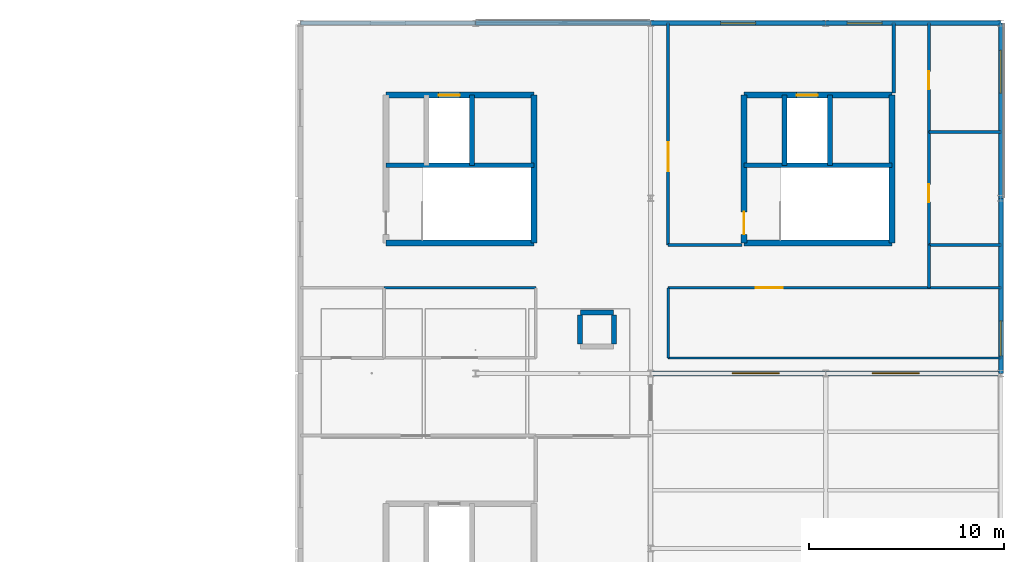
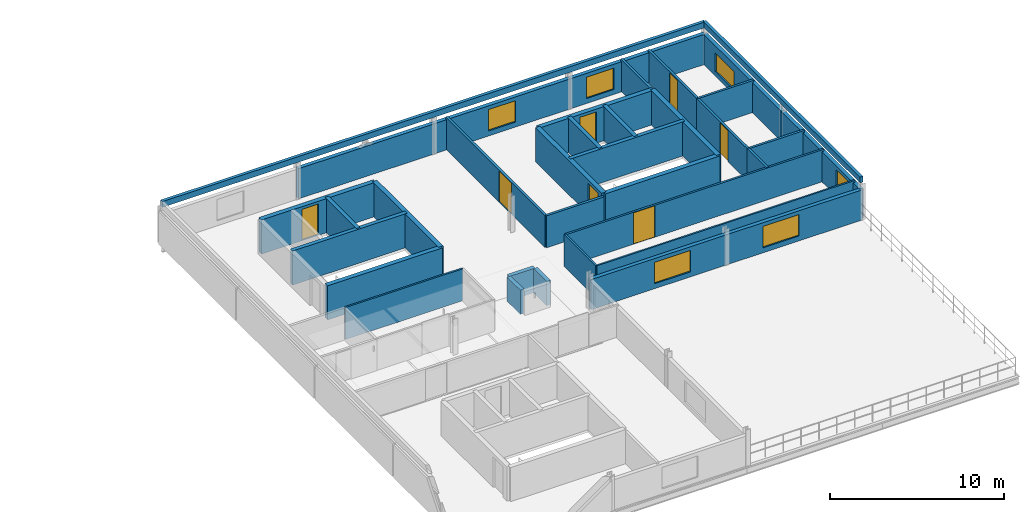
# One storey, part 13 of 16: 35 walls, 7 doors, 6 windows, 13 openings.
"""IFC4 building model written with IfcOpenShell, lengths in metres."""

from ifc_helpers import new_model, si_unit, direction, frame, frame_2d, origin, place, context, subcontext, project, spatial, rectangle, extrude, material, layer, layer_set, type_object, element, fill, save


model = new_model("IFC4")

# Units and contexts
model_context = context("Model", 3, precision=1e-05, world=origin(), true_north=direction((0.0, 1.0)))
body_context = subcontext(model_context, "Body", "Model", "MODEL_VIEW")
ifc_project = project(units=[si_unit("LENGTHUNIT", "METRE"), si_unit("AREAUNIT", "SQUARE_METRE"), si_unit("VOLUMEUNIT", "CUBIC_METRE"), si_unit("PLANEANGLEUNIT", "RADIAN"), si_unit("MASSUNIT", "GRAM", prefix="KILO"), si_unit("THERMODYNAMICTEMPERATUREUNIT", "KELVIN"), si_unit("POWERUNIT", "WATT")], contexts=[model_context])

# Site, building, storey
site_placement = place(None, origin())
site = spatial("IfcSite", under=ifc_project, at=site_placement, CompositionType="ELEMENT")
building_placement = place(site_placement, origin())
building = spatial("IfcBuilding", under=site, at=building_placement, Name="Tallowbark Science Centre", CompositionType="ELEMENT")
storey_placement = place(building_placement, frame((0.0, 0.0, 23.39990234375)))
storey = spatial("IfcBuildingStorey", under=building, at=storey_placement, Name="L05", CompositionType="ELEMENT", Elevation=23.39990234375)

# Walls
ifc_material_1 = material(Name="Precast Concrete Acoustic Parapet Grade N40 (40 MPa)", Category="concrete")
ifc_layer_1 = layer(ifc_material_1, 0.205078125)
ifc_layer_set_1 = layer_set([ifc_layer_1], Name="Precast Concrete Acoustic Parapet Grade N40 (40 MPa)")
wall_type_1 = type_object("IfcWallType", Name="EWL-PAR-205", PredefinedType="PARAPET", material=ifc_layer_set_1)
wall_1_placement = place(storey_placement, frame((112.5, 108.0, 2.550048828125), z_axis=(0.0, 0.0, 1.0), x_axis=(1.0, 0.0, 0.0)))
element("IfcWall", 1, at=wall_1_placement, inside=storey, type_object=wall_type_1, Name="Roof Parapet PAR-OBS-N", PredefinedType="PARAPET", context=body_context, shape_type="SweptSolid", body=[
    extrude(rectangle(XDim=36.0, YDim=0.205078125, at=frame_2d((18.0, 0.0))), origin(), (0.0, 0.0, 1.0), 0.400146484375),
])
wall_2_placement = place(storey_placement, frame((148.5, 90.0, 2.550048828125), z_axis=(0.0, 0.0, 1.0), x_axis=(0.0, 1.0, 0.0)))
element("IfcWall", 2, at=wall_2_placement, inside=storey, type_object=wall_type_1, Name="Roof Parapet PAR-OBS-E", PredefinedType="PARAPET", context=body_context, shape_type="SweptSolid", body=[
    extrude(rectangle(XDim=18.0, YDim=0.205078125, at=frame_2d((9.0, 0.0))), origin(), (0.0, 0.0, 1.0), 0.400146484375),
])

# Wall, openings, windows
ifc_material_2 = material(Name="Insulated Precast Concrete Panel Grade N40 (40 MPa)", Category="concrete")
ifc_layer_2 = layer(ifc_material_2, 0.25)
ifc_layer_set_2 = layer_set([ifc_layer_2], Name="Insulated Precast Concrete Panel Grade N40 (40 MPa)")
wall_type_2 = type_object("IfcWallType", Name="EWL-PRC-250", PredefinedType="STANDARD", material=ifc_layer_set_2)
wall_3_placement = place(storey_placement, frame((130.5, 90.0, 0.0), z_axis=(0.0, 0.0, 1.0), x_axis=(1.0, 0.0, 0.0)))
wall_3 = element("IfcWall", 3, at=wall_3_placement, inside=storey, type_object=wall_type_2, Name="Exterior Wall OBS5-TER-N", PredefinedType="STANDARD", context=body_context, shape_type="SweptSolid", body=[
    extrude(rectangle(XDim=18.0, YDim=0.25, at=frame_2d((9.0, 0.0))), origin(), (0.0, 0.0, 1.0), 2.114013671875),
])
opening_1_placement = place(wall_3_placement, frame((4.199951171875, 0.0, 0.35009765625)))
opening_1 = element("IfcOpeningElement", 4, at=opening_1_placement, cuts=wall_3, Name="Opening W-10", PredefinedType="OPENING", context=body_context, shape_type="SweptSolid", body=[
    extrude(rectangle(XDim=2.39990234375, YDim=1.5, at=frame_2d((1.199951171875, 0.75))), frame((0.0, 0.135009765625, 0.0), z_axis=(0.0, -1.0, 0.0), x_axis=(1.0, 0.0, 0.0)), (0.0, 0.0, 1.0), 0.27001953125),
])
opening_2_placement = place(wall_3_placement, frame((11.39990234375, 0.0, 0.35009765625)))
opening_2 = element("IfcOpeningElement", 5, at=opening_2_placement, cuts=wall_3, Name="Opening W-10", PredefinedType="OPENING", context=body_context, shape_type="SweptSolid", body=[
    extrude(rectangle(XDim=2.39990234375, YDim=1.5, at=frame_2d((1.199951171875, 0.75))), frame((0.0, 0.135009765625, 0.0), z_axis=(0.0, -1.0, 0.0), x_axis=(1.0, 0.0, 0.0)), (0.0, 0.0, 1.0), 0.27001953125),
])
ifc_material_3 = material(Name="Thermally Broken Aluminium and Low-E Double Glazing", Category="aluminium")
window_type_1 = type_object("IfcWindowType", Name="WIN-F240x150", PartitioningType="SINGLE_PANEL", PredefinedType="WINDOW", material=ifc_material_3)
window_1_placement = place(opening_1_placement, origin())
window_1 = element("IfcWindow", 6, at=window_1_placement, inside=storey, type_object=window_type_1, Name="Window WIN-L05-0052", OverallHeight=1.5, OverallWidth=2.39990234375, PartitioningType="SINGLE_PANEL", PredefinedType="WINDOW", context=body_context, shape_type="SweptSolid", body=[
    extrude(rectangle(XDim=2.39990234375, YDim=1.5, at=frame_2d((1.199951171875, 0.75))), frame((0.0, 0.030029296875, 0.0), z_axis=(0.0, -1.0, 0.0), x_axis=(1.0, 0.0, 0.0)), (0.0, 0.0, 1.0), 0.06005859375),
])
fill(opening_1, window_1)
window_2_placement = place(opening_2_placement, origin())
window_2 = element("IfcWindow", 7, at=window_2_placement, inside=storey, type_object=window_type_1, Name="Window WIN-L05-0053", OverallHeight=1.5, OverallWidth=2.39990234375, PartitioningType="SINGLE_PANEL", PredefinedType="WINDOW", context=body_context, shape_type="SweptSolid", body=[
    extrude(rectangle(XDim=2.39990234375, YDim=1.5, at=frame_2d((1.199951171875, 0.75))), frame((0.0, 0.030029296875, 0.0), z_axis=(0.0, -1.0, 0.0), x_axis=(1.0, 0.0, 0.0)), (0.0, 0.0, 1.0), 0.06005859375),
])
fill(opening_2, window_2)

# Wall, opening, window
wall_4_placement = place(storey_placement, frame((148.5, 90.0, 0.0), z_axis=(0.0, 0.0, 1.0), x_axis=(0.0, 1.0, 0.0)))
wall_4 = element("IfcWall", 8, at=wall_4_placement, inside=storey, type_object=wall_type_2, Name="Exterior Wall OBS5-E-N1", PredefinedType="STANDARD", context=body_context, shape_type="SweptSolid", body=[
    extrude(rectangle(XDim=9.0, YDim=0.25, at=frame_2d((4.5, 0.0))), origin(), (0.0, 0.0, 1.0), 2.114013671875),
])
opening_3_placement = place(wall_4_placement, frame((0.89990234375, 0.0, 0.35009765625)))
opening_3 = element("IfcOpeningElement", 9, at=opening_3_placement, cuts=wall_4, Name="Opening W-09", PredefinedType="OPENING", context=body_context, shape_type="SweptSolid", body=[
    extrude(rectangle(XDim=1.800048828125, YDim=1.5, at=frame_2d((0.89990234375, 0.75))), frame((0.0, 0.135009765625, 0.0), z_axis=(0.0, -1.0, 0.0), x_axis=(1.0, 0.0, 0.0)), (0.0, 0.0, 1.0), 0.27001953125),
])
window_type_2 = type_object("IfcWindowType", Name="WIN-F180x150", PartitioningType="SINGLE_PANEL", PredefinedType="WINDOW", material=ifc_material_3)
window_3_placement = place(opening_3_placement, origin())
window_3 = element("IfcWindow", 10, at=window_3_placement, inside=storey, type_object=window_type_2, Name="Window WIN-L05-0054", OverallHeight=1.5, OverallWidth=1.800048828125, PartitioningType="SINGLE_PANEL", PredefinedType="WINDOW", context=body_context, shape_type="SweptSolid", body=[
    extrude(rectangle(XDim=1.800048828125, YDim=1.5, at=frame_2d((0.89990234375, 0.75))), frame((0.0, 0.030029296875, 0.0), z_axis=(0.0, -1.0, 0.0), x_axis=(1.0, 0.0, 0.0)), (0.0, 0.0, 1.0), 0.06005859375),
])
fill(opening_3, window_3)

wall_5_placement = place(storey_placement, frame((148.5, 99.0, 0.0), z_axis=(0.0, 0.0, 1.0), x_axis=(0.0, 1.0, 0.0)))
wall_5 = element("IfcWall", 11, at=wall_5_placement, inside=storey, type_object=wall_type_2, Name="Exterior Wall OBS5-E-N2", PredefinedType="STANDARD", context=body_context, shape_type="SweptSolid", body=[
    extrude(rectangle(XDim=9.0, YDim=0.25, at=frame_2d((4.5, 0.0))), origin(), (0.0, 0.0, 1.0), 2.114013671875),
])
opening_4_placement = place(wall_5_placement, frame((5.39990234375, 0.0, 0.300048828125)))
opening_4 = element("IfcOpeningElement", 12, at=opening_4_placement, cuts=wall_5, Name="Opening WS-19", PredefinedType="OPENING", context=body_context, shape_type="SweptSolid", body=[
    extrude(rectangle(XDim=2.199951171875, YDim=1.300048828125, at=frame_2d((1.10009765625, 0.64990234375))), frame((0.0, 0.135009765625, 0.0), z_axis=(0.0, -1.0, 0.0), x_axis=(1.0, 0.0, 0.0)), (0.0, 0.0, 1.0), 0.27001953125),
])
window_type_3 = type_object("IfcWindowType", Name="WIN-SP-220x130", PartitioningType="SINGLE_PANEL", PredefinedType="WINDOW", material=ifc_material_3)
window_4_placement = place(opening_4_placement, origin())
window_4 = element("IfcWindow", 13, at=window_4_placement, inside=storey, type_object=window_type_3, Name="Acoustic Window WSP-19", OverallHeight=1.300048828125, OverallWidth=2.199951171875, PartitioningType="SINGLE_PANEL", PredefinedType="WINDOW", context=body_context, shape_type="SweptSolid", body=[
    extrude(rectangle(XDim=2.199951171875, YDim=1.300048828125, at=frame_2d((1.10009765625, 0.64990234375))), frame((0.0, 0.030029296875, 0.0), z_axis=(0.0, -1.0, 0.0), x_axis=(1.0, 0.0, 0.0)), (0.0, 0.0, 1.0), 0.06005859375),
])
fill(opening_4, window_4)

# Wall
wall_6_placement = place(storey_placement, frame((130.5, 108.0, 0.0), z_axis=(0.0, 0.0, 1.0), x_axis=(-1.0, 0.0, 0.0)))
element("IfcWall", 14, at=wall_6_placement, inside=storey, type_object=wall_type_2, Name="Exterior Wall OBS5-N-121", PredefinedType="STANDARD", context=body_context, shape_type="SweptSolid", body=[
    extrude(rectangle(XDim=9.0, YDim=0.25, at=frame_2d((4.5, 0.0))), origin(), (0.0, 0.0, 1.0), 2.114013671875),
])

# Wall, opening, window
wall_7_placement = place(storey_placement, frame((139.5, 108.0, 0.0), z_axis=(0.0, 0.0, 1.0), x_axis=(-1.0, 0.0, 0.0)))
wall_7 = element("IfcWall", 15, at=wall_7_placement, inside=storey, type_object=wall_type_2, Name="Exterior Wall OBS5-N-130", PredefinedType="STANDARD", context=body_context, shape_type="SweptSolid", body=[
    extrude(rectangle(XDim=9.0, YDim=0.25, at=frame_2d((4.5, 0.0))), origin(), (0.0, 0.0, 1.0), 2.114013671875),
])
opening_5_placement = place(wall_7_placement, frame((3.60009765625, 0.0, 0.35009765625)))
opening_5 = element("IfcOpeningElement", 16, at=opening_5_placement, cuts=wall_7, Name="Opening W-09", PredefinedType="OPENING", context=body_context, shape_type="SweptSolid", body=[
    extrude(rectangle(XDim=1.800048828125, YDim=1.5, at=frame_2d((0.89990234375, 0.75))), frame((0.0, 0.135009765625, 0.0), z_axis=(0.0, -1.0, 0.0), x_axis=(1.0, 0.0, 0.0)), (0.0, 0.0, 1.0), 0.27001953125),
])
window_5_placement = place(opening_5_placement, origin())
window_5 = element("IfcWindow", 17, at=window_5_placement, inside=storey, type_object=window_type_2, Name="Window WIN-L05-0056", OverallHeight=1.5, OverallWidth=1.800048828125, PartitioningType="SINGLE_PANEL", PredefinedType="WINDOW", context=body_context, shape_type="SweptSolid", body=[
    extrude(rectangle(XDim=1.800048828125, YDim=1.5, at=frame_2d((0.89990234375, 0.75))), frame((0.0, 0.030029296875, 0.0), z_axis=(0.0, -1.0, 0.0), x_axis=(1.0, 0.0, 0.0)), (0.0, 0.0, 1.0), 0.06005859375),
])
fill(opening_5, window_5)

wall_8_placement = place(storey_placement, frame((148.5, 108.0, 0.0), z_axis=(0.0, 0.0, 1.0), x_axis=(-1.0, 0.0, 0.0)))
wall_8 = element("IfcWall", 18, at=wall_8_placement, inside=storey, type_object=wall_type_2, Name="Exterior Wall OBS5-N-139", PredefinedType="STANDARD", context=body_context, shape_type="SweptSolid", body=[
    extrude(rectangle(XDim=9.0, YDim=0.25, at=frame_2d((4.5, 0.0))), origin(), (0.0, 0.0, 1.0), 2.114013671875),
])
opening_6_placement = place(wall_8_placement, frame((6.10009765625, 0.0, 0.35009765625)))
opening_6 = element("IfcOpeningElement", 19, at=opening_6_placement, cuts=wall_8, Name="Opening W-09", PredefinedType="OPENING", context=body_context, shape_type="SweptSolid", body=[
    extrude(rectangle(XDim=1.800048828125, YDim=1.5, at=frame_2d((0.89990234375, 0.75))), frame((0.0, 0.135009765625, 0.0), z_axis=(0.0, -1.0, 0.0), x_axis=(1.0, 0.0, 0.0)), (0.0, 0.0, 1.0), 0.27001953125),
])
window_6_placement = place(opening_6_placement, origin())
window_6 = element("IfcWindow", 20, at=window_6_placement, inside=storey, type_object=window_type_2, Name="Window WIN-L05-0057", OverallHeight=1.5, OverallWidth=1.800048828125, PartitioningType="SINGLE_PANEL", PredefinedType="WINDOW", context=body_context, shape_type="SweptSolid", body=[
    extrude(rectangle(XDim=1.800048828125, YDim=1.5, at=frame_2d((0.89990234375, 0.75))), frame((0.0, 0.030029296875, 0.0), z_axis=(0.0, -1.0, 0.0), x_axis=(1.0, 0.0, 0.0)), (0.0, 0.0, 1.0), 0.06005859375),
])
fill(opening_6, window_6)

# Walls
ifc_material_4 = material(Name="116 mm Acoustic Steel Stud and 16 mm Fire-Rated Plasterboard", Category="steel")
ifc_layer_3 = layer(ifc_material_4, 0.115966796875)
ifc_layer_set_3 = layer_set([ifc_layer_3], Name="116 mm Acoustic Steel Stud and 16 mm Fire-Rated Plasterboard")
wall_type_3 = type_object("IfcWallType", Name="PTW-116", PredefinedType="PARTITIONING", material=ifc_layer_set_3)
wall_9_placement = place(storey_placement, frame((116.800048828125, 94.39990234375, 0.0), z_axis=(0.0, 0.0, 1.0), x_axis=(1.0, 0.0, 0.0)))
element("IfcWall", 21, at=wall_9_placement, inside=storey, type_object=wall_type_3, Name="Interior Partition PTW-L05-0323", PredefinedType="PARTITIONING", context=body_context, shape_type="SweptSolid", body=[
    extrude(rectangle(XDim=7.800048828125, YDim=0.115966796875, at=frame_2d((3.89990234375, 0.0))), origin(), (0.0, 0.0, 1.0), 2.239990234375),
])
ifc_material_5 = material(Name="132 mm Acoustic Laboratory Steel Stud Partition", Category="steel")
ifc_layer_4 = layer(ifc_material_5, 0.132080078125)
ifc_layer_set_4 = layer_set([ifc_layer_4], Name="132 mm Acoustic Laboratory Steel Stud Partition")
wall_type_4 = type_object("IfcWallType", Name="PTW-132", PredefinedType="PARTITIONING", material=ifc_layer_set_4)
wall_10_placement = place(storey_placement, frame((131.39990234375, 90.800048828125, 0.0), z_axis=(0.0, 0.0, 1.0), x_axis=(0.0, 1.0, 0.0)))
element("IfcWall", 22, at=wall_10_placement, inside=storey, type_object=wall_type_4, Name="Interior Partition PTW-L05-0312", PredefinedType="PARTITIONING", context=body_context, shape_type="SweptSolid", body=[
    extrude(rectangle(XDim=3.599853515625, YDim=0.132080078125, at=frame_2d((1.7998046875, 0.0))), origin(), (0.0, 0.0, 1.0), 2.239990234375),
])

# Wall, opening, door
wall_11_placement = place(storey_placement, frame((131.39990234375, 94.39990234375, 0.0), z_axis=(0.0, 0.0, 1.0), x_axis=(1.0, 0.0, 0.0)))
wall_11 = element("IfcWall", 23, at=wall_11_placement, inside=storey, type_object=wall_type_4, Name="Interior Partition PTW-L05-0313", PredefinedType="PARTITIONING", context=body_context, shape_type="SweptSolid", body=[
    extrude(rectangle(XDim=17.10009765625, YDim=0.132080078125, at=frame_2d((8.550048828125, 0.0))), origin(), (0.0, 0.0, 1.0), 2.239990234375),
])
opening_7_placement = place(wall_11_placement, frame((4.5, 0.0, 0.0)))
opening_7 = element("IfcOpeningElement", 24, at=opening_7_placement, cuts=wall_11, Name="Opening ID-01", PredefinedType="OPENING", context=body_context, shape_type="SweptSolid", body=[
    extrude(rectangle(XDim=1.39990234375, YDim=2.199951171875, at=frame_2d((0.699951171875, 1.10009765625))), frame((0.0, 0.076171875, 0.0), z_axis=(0.0, -1.0, 0.0), x_axis=(1.0, 0.0, 0.0)), (0.0, 0.0, 1.0), 0.152099609375),
])
ifc_material_6 = material(Name="Vision-Panel Leaf and Unequal Side Leaf")
door_type_1 = type_object("IfcDoorType", Name="IDR-LAB-140", OperationType="DOUBLE_DOOR_SINGLE_SWING", PredefinedType="DOOR", material=ifc_material_6)
door_1_placement = place(opening_7_placement, origin())
door_1 = element("IfcDoor", 25, at=door_1_placement, inside=storey, type_object=door_type_1, Name="Interior Door IDR-L05-0140", OperationType="DOUBLE_DOOR_SINGLE_SWING", OverallHeight=2.199951171875, OverallWidth=1.39990234375, PredefinedType="DOOR", context=body_context, shape_type="SweptSolid", body=[
    extrude(rectangle(XDim=1.39990234375, YDim=2.199951171875, at=frame_2d((0.699951171875, 1.10009765625))), frame((0.0, 0.02490234375, 0.0), z_axis=(0.0, -1.0, 0.0), x_axis=(1.0, 0.0, 0.0)), (0.0, 0.0, 1.0), 0.050048828125),
])
fill(opening_7, door_1)

# Wall
ifc_material_7 = material(Name="150 mm Wet-Area Moisture-Resistant Partition")
ifc_layer_5 = layer(ifc_material_7, 0.14990234375)
ifc_layer_set_5 = layer_set([ifc_layer_5], Name="150 mm Wet-Area Moisture-Resistant Partition")
wall_type_5 = type_object("IfcWallType", Name="PTW-150", PredefinedType="PARTITIONING", material=ifc_layer_set_5)
wall_12_placement = place(storey_placement, frame((144.800048828125, 94.39990234375, 0.0), z_axis=(0.0, 0.0, 1.0), x_axis=(0.0, 1.0, 0.0)))
element("IfcWall", 26, at=wall_12_placement, inside=storey, type_object=wall_type_5, Name="Interior Partition PTW-L05-0314", PredefinedType="PARTITIONING", context=body_context, shape_type="SweptSolid", body=[
    extrude(rectangle(XDim=2.2001953125, YDim=0.14990234375, at=frame_2d((1.10009765625, 0.0))), origin(), (0.0, 0.0, 1.0), 2.239990234375),
])

# Wall, opening, door
wall_13_placement = place(storey_placement, frame((144.800048828125, 96.60009765625, 0.0), z_axis=(0.0, 0.0, 1.0), x_axis=(0.0, 1.0, 0.0)))
wall_13 = element("IfcWall", 27, at=wall_13_placement, inside=storey, type_object=wall_type_5, Name="Interior Partition PTW-L05-0315", PredefinedType="PARTITIONING", context=body_context, shape_type="SweptSolid", body=[
    extrude(rectangle(XDim=5.7998046875, YDim=0.14990234375, at=frame_2d((2.89990234375, 0.0))), origin(), (0.0, 0.0, 1.0), 2.239990234375),
])
opening_8_placement = place(wall_13_placement, frame((2.199951171875, 0.0, 0.0)))
opening_8 = element("IfcOpeningElement", 28, at=opening_8_placement, cuts=wall_13, Name="Opening ID-05", PredefinedType="OPENING", context=body_context, shape_type="SweptSolid", body=[
    extrude(rectangle(XDim=0.919921875, YDim=2.14990234375, at=frame_2d((0.4599609375, 1.074951171875))), frame((0.0, 0.0849609375, 0.0), z_axis=(0.0, -1.0, 0.0), x_axis=(1.0, 0.0, 0.0)), (0.0, 0.0, 1.0), 0.169921875),
])
ifc_material_8 = material(Name="Moisture-Resistant Laminate Leaf")
door_type_2 = type_object("IfcDoorType", Name="IDR-WC-092", OperationType="NOTDEFINED", PredefinedType="DOOR", material=ifc_material_8)
door_2_placement = place(opening_8_placement, origin())
door_2 = element("IfcDoor", 29, at=door_2_placement, inside=storey, type_object=door_type_2, Name="Interior Door IDR-L05-0141", OperationType="SINGLE_SWING_LEFT", OverallHeight=2.14990234375, OverallWidth=0.919921875, PredefinedType="DOOR", context=body_context, shape_type="SweptSolid", body=[
    extrude(rectangle(XDim=0.919921875, YDim=2.14990234375, at=frame_2d((0.4599609375, 1.074951171875))), frame((0.0, 0.02490234375, 0.0), z_axis=(0.0, -1.0, 0.0), x_axis=(1.0, 0.0, 0.0)), (0.0, 0.0, 1.0), 0.050048828125),
])
fill(opening_8, door_2)

wall_14_placement = place(storey_placement, frame((144.800048828125, 102.39990234375, 0.0), z_axis=(0.0, 0.0, 1.0), x_axis=(0.0, 1.0, 0.0)))
wall_14 = element("IfcWall", 30, at=wall_14_placement, inside=storey, type_object=wall_type_5, Name="Interior Partition PTW-L05-0316", PredefinedType="PARTITIONING", context=body_context, shape_type="SweptSolid", body=[
    extrude(rectangle(XDim=5.60009765625, YDim=0.14990234375, at=frame_2d((2.800048828125, 0.0))), origin(), (0.0, 0.0, 1.0), 2.239990234375),
])
opening_9_placement = place(wall_14_placement, frame((2.199951171875, 0.0, 0.0)))
opening_9 = element("IfcOpeningElement", 31, at=opening_9_placement, cuts=wall_14, Name="Opening ID-05", PredefinedType="OPENING", context=body_context, shape_type="SweptSolid", body=[
    extrude(rectangle(XDim=0.919921875, YDim=2.14990234375, at=frame_2d((0.4599609375, 1.074951171875))), frame((0.0, 0.0849609375, 0.0), z_axis=(0.0, -1.0, 0.0), x_axis=(1.0, 0.0, 0.0)), (0.0, 0.0, 1.0), 0.169921875),
])
door_3_placement = place(opening_9_placement, origin())
door_3 = element("IfcDoor", 32, at=door_3_placement, inside=storey, type_object=door_type_2, Name="Interior Door IDR-L05-0142", OperationType="SINGLE_SWING_RIGHT", OverallHeight=2.14990234375, OverallWidth=0.919921875, PredefinedType="DOOR", context=body_context, shape_type="SweptSolid", body=[
    extrude(rectangle(XDim=0.919921875, YDim=2.14990234375, at=frame_2d((0.4599609375, 1.074951171875))), frame((0.0, 0.02490234375, 0.0), z_axis=(0.0, -1.0, 0.0), x_axis=(1.0, 0.0, 0.0)), (0.0, 0.0, 1.0), 0.050048828125),
])
fill(opening_9, door_3)

# Walls
for number, where, z_axis, x_axis, name in (
    (33, (144.800048828125, 96.60009765625, 0.0), (0.0, 0.0, 1.0), (1.0, 0.0, 0.0), "Interior Partition PTW-L05-0317"),
    (34, (144.800048828125, 102.39990234375, 0.0), (0.0, 0.0, 1.0), (1.0, 0.0, 0.0), "Interior Partition PTW-L05-0318"),
):
    element("IfcWall", number, at=place(storey_placement, frame(where, z_axis=z_axis, x_axis=x_axis)), inside=storey, type_object=wall_type_5, Name=name, PredefinedType="PARTITIONING", context=body_context, shape_type="SweptSolid", body=[
        extrude(rectangle(XDim=3.699951171875, YDim=0.14990234375, at=frame_2d((1.85009765625, 0.0))), origin(), (0.0, 0.0, 1.0), 2.239990234375),
    ])

# Wall, opening, door
ifc_material_9 = material(Name="162 mm Double-Stud Fire-Rated Corridor Partition")
ifc_layer_6 = layer(ifc_material_9, 0.162109375)
ifc_layer_set_6 = layer_set([ifc_layer_6], Name="162 mm Double-Stud Fire-Rated Corridor Partition")
wall_type_6 = type_object("IfcWallType", Name="PTW-162", PredefinedType="PARTITIONING", material=ifc_layer_set_6)
wall_15_placement = place(storey_placement, frame((131.39990234375, 96.60009765625, 0.0), z_axis=(0.0, 0.0, 1.0), x_axis=(0.0, 1.0, 0.0)))
wall_15 = element("IfcWall", 35, at=wall_15_placement, inside=storey, type_object=wall_type_6, Name="Interior Partition PTW-L05-0053", PredefinedType="PARTITIONING", context=body_context, shape_type="SweptSolid", body=[
    extrude(rectangle(XDim=11.39990234375, YDim=0.162109375, at=frame_2d((5.699951171875, 0.0))), origin(), (0.0, 0.0, 1.0), 2.239990234375),
])
opening_10_placement = place(wall_15_placement, frame((3.800048828125, 0.0, 0.0)))
opening_10 = element("IfcOpeningElement", 36, at=opening_10_placement, cuts=wall_15, Name="Opening DS-14", PredefinedType="OPENING", context=body_context, shape_type="SweptSolid", body=[
    extrude(rectangle(XDim=1.469970703125, YDim=2.199951171875, at=frame_2d((0.73486328125, 1.10009765625))), frame((0.0, 0.091064453125, 0.0), z_axis=(0.0, -1.0, 0.0), x_axis=(1.0, 0.0, 0.0)), (0.0, 0.0, 1.0), 0.18212890625),
])
ifc_material_10 = material(Name="Fire-Rated Glazed Steel Pair", Category="steel")
door_type_3 = type_object("IfcDoorType", Name="FDR-LOB-145-S14", OperationType="DOUBLE_DOOR_SINGLE_SWING", PredefinedType="DOOR", material=ifc_material_10)
door_4_placement = place(opening_10_placement, origin())
door_4 = element("IfcDoor", 37, at=door_4_placement, inside=storey, type_object=door_type_3, Name="Interior Door IDR-L05-0014", OperationType="DOUBLE_DOOR_SINGLE_SWING", OverallHeight=2.199951171875, OverallWidth=1.469970703125, PredefinedType="DOOR", context=body_context, shape_type="SweptSolid", body=[
    extrude(rectangle(XDim=1.469970703125, YDim=2.199951171875, at=frame_2d((0.73486328125, 1.10009765625))), frame((0.0, 0.02490234375, 0.0), z_axis=(0.0, -1.0, 0.0), x_axis=(1.0, 0.0, 0.0)), (0.0, 0.0, 1.0), 0.050048828125),
])
fill(opening_10, door_4)

# Walls
wall_16_placement = place(storey_placement, frame((131.39990234375, 96.60009765625, 0.0), z_axis=(0.0, 0.0, 1.0), x_axis=(1.0, 0.0, 0.0)))
element("IfcWall", 38, at=wall_16_placement, inside=storey, type_object=wall_type_6, Name="Interior Partition PTW-L05-0054", PredefinedType="PARTITIONING", context=body_context, shape_type="SweptSolid", body=[
    extrude(rectangle(XDim=3.800048828125, YDim=0.162109375, at=frame_2d((1.89990234375, 0.0))), origin(), (0.0, 0.0, 1.0), 2.239990234375),
])
wall_17_placement = place(storey_placement, frame((143.0, 104.39990234375, 0.0), z_axis=(0.0, 0.0, 1.0), x_axis=(0.0, 1.0, 0.0)))
element("IfcWall", 39, at=wall_17_placement, inside=storey, type_object=wall_type_6, Name="Interior Partition PTW-L05-0055", PredefinedType="PARTITIONING", context=body_context, shape_type="SweptSolid", body=[
    extrude(rectangle(XDim=3.60009765625, YDim=0.162109375, at=frame_2d((1.800048828125, 0.0))), origin(), (0.0, 0.0, 1.0), 2.239990234375),
])
ifc_material_11 = material(Name="108 mm Acoustic Double-Glazed Laboratory Partition")
ifc_layer_7 = layer(ifc_material_11, 0.10791015625)
ifc_layer_set_7 = layer_set([ifc_layer_7], Name="108 mm Acoustic Double-Glazed Laboratory Partition")
wall_type_7 = type_object("IfcWallType", Name="PTW-GLZ-108", PredefinedType="PARTITIONING", material=ifc_layer_set_7)
wall_18_placement = place(storey_placement, frame((131.39990234375, 90.800048828125, 0.0), z_axis=(0.0, 0.0, 1.0), x_axis=(1.0, 0.0, 0.0)))
element("IfcWall", 40, at=wall_18_placement, inside=storey, type_object=wall_type_7, Name="Interior Partition PTW-L05-0311", PredefinedType="PARTITIONING", context=body_context, shape_type="SweptSolid", body=[
    extrude(rectangle(XDim=17.10009765625, YDim=0.10791015625, at=frame_2d((8.550048828125, 0.0))), origin(), (0.0, 0.0, 1.0), 2.239990234375),
])

# Wall, opening, door
ifc_material_12 = material(Name="Concrete Grade N40 (40 MPa)", Category="concrete")
ifc_layer_8 = layer(ifc_material_12, 0.300048828125)
ifc_layer_set_8 = layer_set([ifc_layer_8], Name="Concrete Grade N40 (40 MPa)")
wall_type_8 = type_object("IfcWallType", Name="WL-CORE-300", PredefinedType="SHEAR", material=ifc_layer_set_8)
wall_19_placement = place(storey_placement, frame((135.300048828125, 96.699951171875, 0.0), z_axis=(0.0, 0.0, 1.0), x_axis=(0.0, 1.0, 0.0)))
wall_19 = element("IfcWall", 41, at=wall_19_placement, inside=storey, type_object=wall_type_8, Name="Core C4 Shear Wall L05 W", PredefinedType="SHEAR", context=body_context, shape_type="SweptSolid", body=[
    extrude(rectangle(XDim=7.60009765625, YDim=0.300048828125, at=frame_2d((3.800048828125, 0.0))), origin(), (0.0, 0.0, 1.0), 2.39013671875),
])
opening_11_placement = place(wall_19_placement, frame((0.449951171875, 0.0, 0.0)))
opening_11 = element("IfcOpeningElement", 42, at=opening_11_placement, cuts=wall_19, Name="Opening FD-01", PredefinedType="OPENING", context=body_context, shape_type="SweptSolid", body=[
    extrude(rectangle(XDim=1.14990234375, YDim=2.14990234375, at=frame_2d((0.574951171875, 1.074951171875))), frame((0.0, 0.16015625, 0.0), z_axis=(0.0, -1.0, 0.0), x_axis=(1.0, 0.0, 0.0)), (0.0, 0.0, 1.0), 0.320068359375),
])
ifc_material_13 = material(Name="Fire-Rated Pressed Steel Frame and Solid Core Leaf", Category="steel")
door_type_4 = type_object("IfcDoorType", Name="FDR-STR-115", OperationType="NOTDEFINED", PredefinedType="DOOR", material=ifc_material_13)
door_5_placement = place(opening_11_placement, origin())
door_5 = element("IfcDoor", 43, at=door_5_placement, inside=storey, type_object=door_type_4, Name="Stair ST-04 Fire Door L05", OperationType="SINGLE_SWING_LEFT", OverallHeight=2.14990234375, OverallWidth=1.14990234375, PredefinedType="DOOR", context=body_context, shape_type="SweptSolid", body=[
    extrude(rectangle(XDim=1.14990234375, YDim=2.14990234375, at=frame_2d((0.574951171875, 1.074951171875))), frame((0.0, 0.02490234375, 0.0), z_axis=(0.0, -1.0, 0.0), x_axis=(1.0, 0.0, 0.0)), (0.0, 0.0, 1.0), 0.050048828125),
])
fill(opening_11, door_5)

# Walls
wall_20_placement = place(storey_placement, frame((142.89990234375, 96.699951171875, 0.0), z_axis=(0.0, 0.0, 1.0), x_axis=(0.0, 1.0, 0.0)))
element("IfcWall", 44, at=wall_20_placement, inside=storey, type_object=wall_type_8, Name="Core C4 Shear Wall L05 E", PredefinedType="SHEAR", context=body_context, shape_type="SweptSolid", body=[
    extrude(rectangle(XDim=7.60009765625, YDim=0.300048828125, at=frame_2d((3.800048828125, 0.0))), origin(), (0.0, 0.0, 1.0), 2.39013671875),
])
wall_21_placement = place(storey_placement, frame((135.300048828125, 96.699951171875, 0.0), z_axis=(0.0, 0.0, 1.0), x_axis=(1.0, 0.0, 0.0)))
element("IfcWall", 45, at=wall_21_placement, inside=storey, type_object=wall_type_8, Name="Core C4 Shear Wall L05 S", PredefinedType="SHEAR", context=body_context, shape_type="SweptSolid", body=[
    extrude(rectangle(XDim=7.599853515625, YDim=0.300048828125, at=frame_2d((3.7998046875, 0.0))), origin(), (0.0, 0.0, 1.0), 2.39013671875),
])

# Wall, opening, door
wall_22_placement = place(storey_placement, frame((135.300048828125, 104.300048828125, 0.0), z_axis=(0.0, 0.0, 1.0), x_axis=(1.0, 0.0, 0.0)))
wall_22 = element("IfcWall", 46, at=wall_22_placement, inside=storey, type_object=wall_type_8, Name="Core C4 Shear Wall L05 N", PredefinedType="SHEAR", context=body_context, shape_type="SweptSolid", body=[
    extrude(rectangle(XDim=7.599853515625, YDim=0.300048828125, at=frame_2d((3.7998046875, 0.0))), origin(), (0.0, 0.0, 1.0), 2.39013671875),
])
opening_12_placement = place(wall_22_placement, frame((2.699951171875, 0.0, 0.0)))
opening_12 = element("IfcOpeningElement", 47, at=opening_12_placement, cuts=wall_22, Name="Opening LD-01", PredefinedType="OPENING", context=body_context, shape_type="SweptSolid", body=[
    extrude(rectangle(XDim=1.10009765625, YDim=2.199951171875, at=frame_2d((0.550048828125, 1.10009765625))), frame((0.0, 0.16015625, 0.0), z_axis=(0.0, -1.0, 0.0), x_axis=(1.0, 0.0, 0.0)), (0.0, 0.0, 1.0), 0.320068359375),
])
ifc_material_14 = material(Name="Brushed Stainless Steel Centre-Parting Lift Landing Door", Category="steel")
door_type_5 = type_object("IfcDoorType", Name="LDR-LFT-110", OperationType="DOUBLE_DOOR_SLIDING", PredefinedType="DOOR", material=ifc_material_14)
door_6_placement = place(opening_12_placement, origin())
door_6 = element("IfcDoor", 48, at=door_6_placement, inside=storey, type_object=door_type_5, Name="Lift LF-03 Landing Door L05", OperationType="DOUBLE_DOOR_SLIDING", OverallHeight=2.199951171875, OverallWidth=1.10009765625, PredefinedType="DOOR", context=body_context, shape_type="SweptSolid", body=[
    extrude(rectangle(XDim=1.10009765625, YDim=2.199951171875, at=frame_2d((0.550048828125, 1.10009765625))), frame((0.0, 0.02490234375, 0.0), z_axis=(0.0, -1.0, 0.0), x_axis=(1.0, 0.0, 0.0)), (0.0, 0.0, 1.0), 0.050048828125),
])
fill(opening_12, door_6)

# Walls
for number, where, z_axis, x_axis, name in (
    (49, (124.5, 96.699951171875, 0.0), (0.0, 0.0, 1.0), (0.0, 1.0, 0.0), "Core C5 Shear Wall L05 E"),
    (50, (116.89990234375, 96.699951171875, 0.0), (0.0, 0.0, 1.0), (1.0, 0.0, 0.0), "Core C5 Shear Wall L05 S"),
):
    element("IfcWall", number, at=place(storey_placement, frame(where, z_axis=z_axis, x_axis=x_axis)), inside=storey, type_object=wall_type_8, Name=name, PredefinedType="SHEAR", context=body_context, shape_type="SweptSolid", body=[
        extrude(rectangle(XDim=7.60009765625, YDim=0.300048828125, at=frame_2d((3.800048828125, 0.0))), origin(), (0.0, 0.0, 1.0), 2.39013671875),
    ])

# Wall, opening, door
wall_23_placement = place(storey_placement, frame((116.89990234375, 104.300048828125, 0.0), z_axis=(0.0, 0.0, 1.0), x_axis=(1.0, 0.0, 0.0)))
wall_23 = element("IfcWall", 51, at=wall_23_placement, inside=storey, type_object=wall_type_8, Name="Core C5 Shear Wall L05 N", PredefinedType="SHEAR", context=body_context, shape_type="SweptSolid", body=[
    extrude(rectangle(XDim=7.60009765625, YDim=0.300048828125, at=frame_2d((3.800048828125, 0.0))), origin(), (0.0, 0.0, 1.0), 2.39013671875),
])
opening_13_placement = place(wall_23_placement, frame((2.699951171875, 0.0, 0.0)))
opening_13 = element("IfcOpeningElement", 52, at=opening_13_placement, cuts=wall_23, Name="Opening LD-01", PredefinedType="OPENING", context=body_context, shape_type="SweptSolid", body=[
    extrude(rectangle(XDim=1.10009765625, YDim=2.199951171875, at=frame_2d((0.550048828125, 1.10009765625))), frame((0.0, 0.16015625, 0.0), z_axis=(0.0, -1.0, 0.0), x_axis=(1.0, 0.0, 0.0)), (0.0, 0.0, 1.0), 0.320068359375),
])
door_7_placement = place(opening_13_placement, origin())
door_7 = element("IfcDoor", 53, at=door_7_placement, inside=storey, type_object=door_type_5, Name="Lift LF-04 Landing Door L05", OperationType="DOUBLE_DOOR_SLIDING", OverallHeight=2.199951171875, OverallWidth=1.10009765625, PredefinedType="DOOR", context=body_context, shape_type="SweptSolid", body=[
    extrude(rectangle(XDim=1.10009765625, YDim=2.199951171875, at=frame_2d((0.550048828125, 1.10009765625))), frame((0.0, 0.02490234375, 0.0), z_axis=(0.0, -1.0, 0.0), x_axis=(1.0, 0.0, 0.0)), (0.0, 0.0, 1.0), 0.050048828125),
])
fill(opening_13, door_7)

# Walls
ifc_layer_9 = layer(ifc_material_12, 0.25)
ifc_layer_set_9 = layer_set([ifc_layer_9], Name="Concrete Grade N40 (40 MPa)")
wall_type_9 = type_object("IfcWallType", Name="WL-SHAFT-250", PredefinedType="SHEAR", material=ifc_layer_set_9)
wall_24_placement = place(storey_placement, frame((135.300048828125, 100.695068359375, 0.0), z_axis=(0.0, 0.0, 1.0), x_axis=(1.0, 0.0, 0.0)))
element("IfcWall", 54, at=wall_24_placement, inside=storey, type_object=wall_type_9, Name="Core C4 Shear Wall L05 MID", PredefinedType="SHEAR", context=body_context, shape_type="SweptSolid", body=[
    extrude(rectangle(XDim=7.599853515625, YDim=0.25, at=frame_2d((3.7998046875, 0.0))), origin(), (0.0, 0.0, 1.0), 2.39013671875),
])
for number, where, z_axis, x_axis, name in (
    (55, (137.375, 100.695068359375, 0.0), (0.0, 0.0, 1.0), (0.0, 1.0, 0.0), "Core C4 Shear Wall L05 LW"),
    (56, (139.72509765625, 100.695068359375, 0.0), (0.0, 0.0, 1.0), (0.0, 1.0, 0.0), "Core C4 Shear Wall L05 LE"),
):
    element("IfcWall", number, at=place(storey_placement, frame(where, z_axis=z_axis, x_axis=x_axis)), inside=storey, type_object=wall_type_9, Name=name, PredefinedType="SHEAR", context=body_context, shape_type="SweptSolid", body=[
        extrude(rectangle(XDim=3.60498046875, YDim=0.25, at=frame_2d((1.802490234375, 0.0))), origin(), (0.0, 0.0, 1.0), 2.39013671875),
    ])
wall_25_placement = place(storey_placement, frame((116.89990234375, 100.695068359375, 0.0), z_axis=(0.0, 0.0, 1.0), x_axis=(1.0, 0.0, 0.0)))
element("IfcWall", 57, at=wall_25_placement, inside=storey, type_object=wall_type_9, Name="Core C5 Shear Wall L05 MID", PredefinedType="SHEAR", context=body_context, shape_type="SweptSolid", body=[
    extrude(rectangle(XDim=7.60009765625, YDim=0.25, at=frame_2d((3.800048828125, 0.0))), origin(), (0.0, 0.0, 1.0), 2.39013671875),
])
wall_26_placement = place(storey_placement, frame((121.324951171875, 100.695068359375, 0.0), z_axis=(0.0, 0.0, 1.0), x_axis=(0.0, 1.0, 0.0)))
element("IfcWall", 58, at=wall_26_placement, inside=storey, type_object=wall_type_9, Name="Core C5 Shear Wall L05 LE", PredefinedType="SHEAR", context=body_context, shape_type="SweptSolid", body=[
    extrude(rectangle(XDim=3.60498046875, YDim=0.25, at=frame_2d((1.802490234375, 0.0))), origin(), (0.0, 0.0, 1.0), 2.39013671875),
])
wall_27_placement = place(storey_placement, frame((126.89990234375, 93.125, 0.0), z_axis=(0.0, 0.0, 1.0), x_axis=(1.0, 0.0, 0.0)))
element("IfcWall", 59, at=wall_27_placement, inside=storey, type_object=wall_type_9, Name="Service Riser Shaft Wall RSR-OBS-5 L05 N", PredefinedType="SHEAR", context=body_context, shape_type="SweptSolid", body=[
    extrude(rectangle(XDim=1.7001953125, YDim=0.25, at=frame_2d((0.85009765625, 0.0))), origin(), (0.0, 0.0, 1.0), 1.7001953125),
])
for number, where, z_axis, x_axis, name in (
    (60, (126.875, 91.5, 0.0), (0.0, 0.0, 1.0), (0.0, 1.0, 0.0), "Service Riser Shaft Wall RSR-OBS-5 L05 W"),
    (61, (128.625, 91.5, 0.0), (0.0, 0.0, 1.0), (0.0, 1.0, 0.0), "Service Riser Shaft Wall RSR-OBS-5 L05 E"),
):
    element("IfcWall", number, at=place(storey_placement, frame(where, z_axis=z_axis, x_axis=x_axis)), inside=storey, type_object=wall_type_9, Name=name, PredefinedType="SHEAR", context=body_context, shape_type="SweptSolid", body=[
        extrude(rectangle(XDim=1.5, YDim=0.25, at=frame_2d((0.75, 0.0))), origin(), (0.0, 0.0, 1.0), 1.7001953125),
    ])

save(model, "model.ifc")
